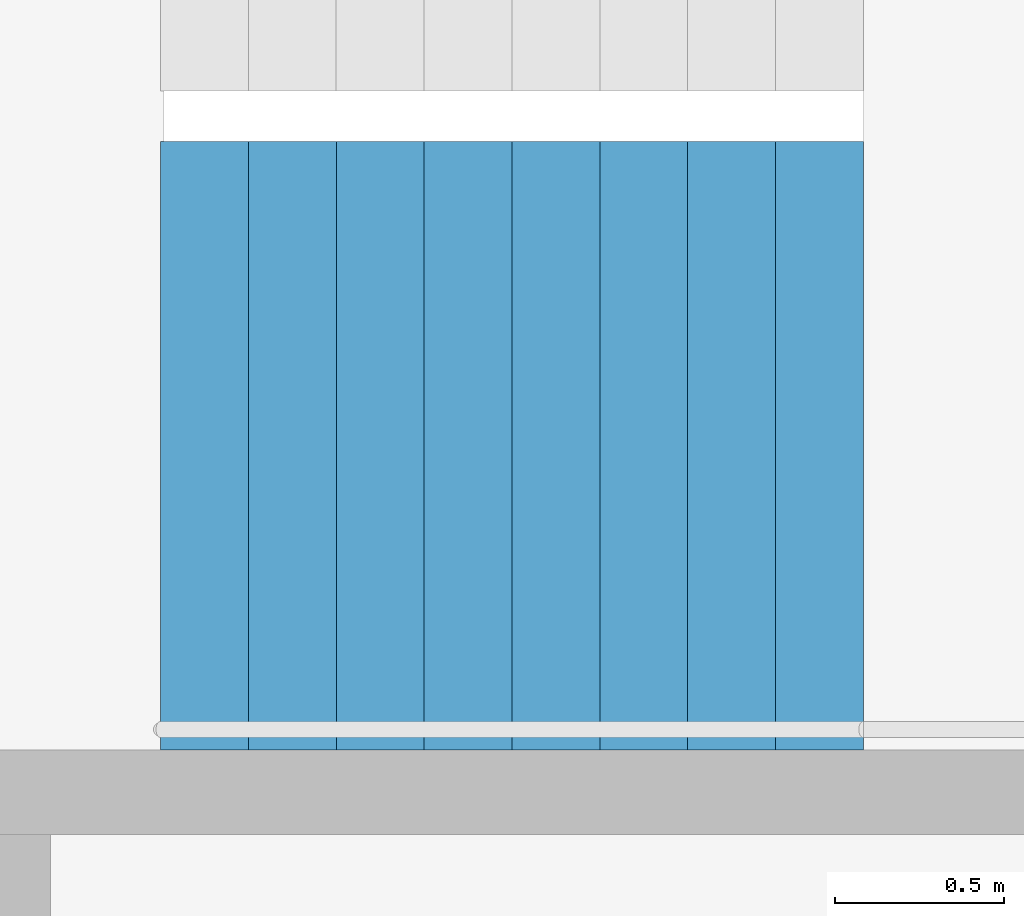
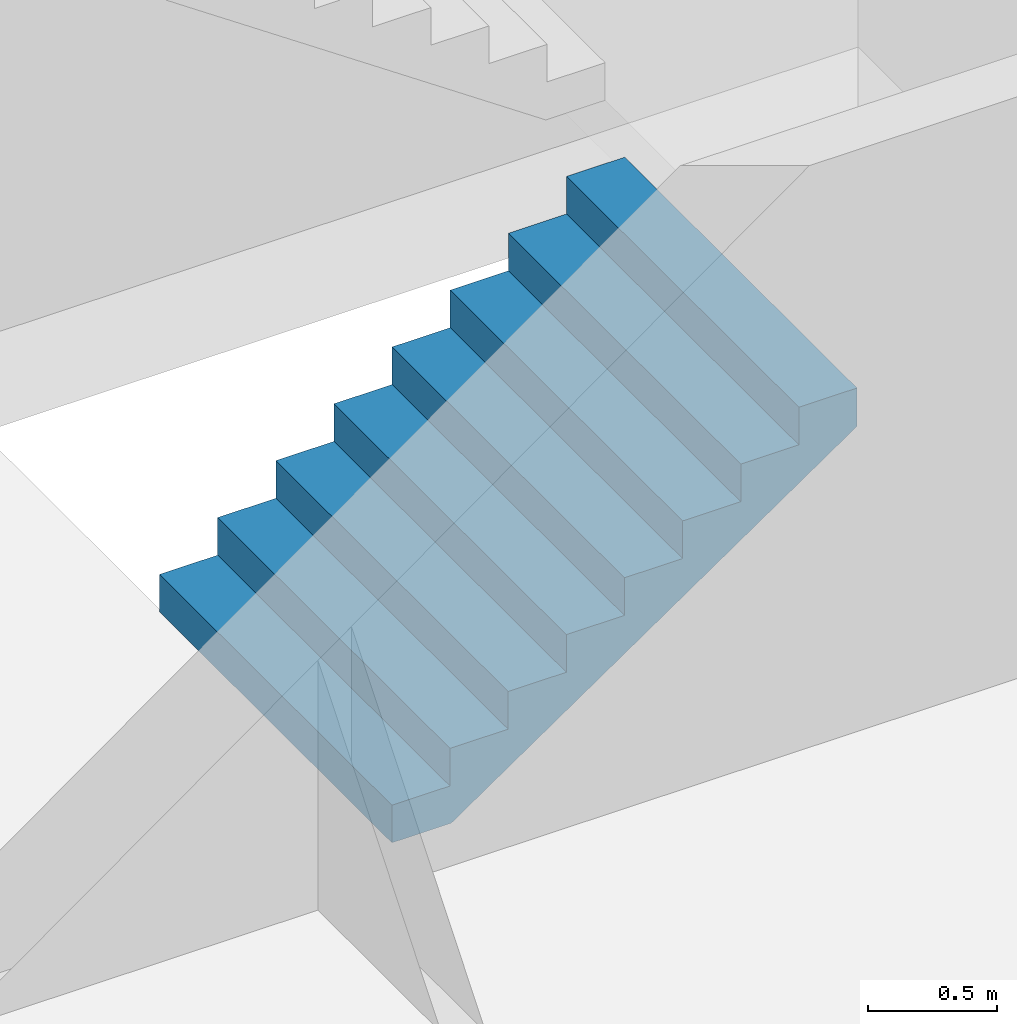
# One storey, part 21 of 27: 1 stair flight, 1 element without a shape of its own.
"""IFC4 building model written with IfcOpenShell, lengths in metres."""

from ifc_helpers import new_model, si_unit, direction, frame, origin, place, context, subcontext, project, spatial, triangles, material, type_object, element, aggregate, save


model = new_model("IFC4")

# Units and contexts
model_context = context("Model", 3, precision=1e-05, world=origin(), true_north=direction((0.0, 1.0)))
body_context = subcontext(model_context, "Body", "Model", "MODEL_VIEW")
ifc_project = project(units=[si_unit("LENGTHUNIT", "METRE"), si_unit("AREAUNIT", "SQUARE_METRE"), si_unit("VOLUMEUNIT", "CUBIC_METRE"), si_unit("PLANEANGLEUNIT", "RADIAN"), si_unit("MASSUNIT", "GRAM", prefix="KILO")], contexts=[model_context])

# Site, building, storey
site_placement = place(None, origin())
site = spatial("IfcSite", under=ifc_project, at=site_placement, CompositionType="ELEMENT")
building_placement = place(site_placement, origin())
building = spatial("IfcBuilding", under=site, at=building_placement, Name="Hakoniwa Tower and Hamabe Station Hall", CompositionType="ELEMENT")
storey_placement = place(building_placement, frame((0.0, 0.0, 248.60009765625)))
storey = spatial("IfcBuildingStorey", under=building, at=storey_placement, Name="L70", CompositionType="ELEMENT", Elevation=248.60009765625)

# Stair, stair flight
ifc_material_1 = material(Name="Concrete C40", Category="concrete")
stair_type = type_object("IfcStairType", Name="ESCAPE STAIR 1800", PredefinedType="HALF_TURN_STAIR", material=ifc_material_1)
stair_placement = place(storey_placement, origin())
stair = element("IfcStair", 1, at=stair_placement, inside=storey, type_object=stair_type, Name="Escape stair ST-1 L70", PredefinedType="HALF_TURN_STAIR")
ifc_material_2 = material(Name="Concrete C40", Category="concrete")
stair_flight_type = type_object("IfcStairFlightType", Name="STAIR FLIGHT 1800", PredefinedType="STRAIGHT", material=ifc_material_2)
stair_flight_placement = place(storey_placement, frame((-24.39990234375, 4.64990234375, 0.0), z_axis=(0.0, 0.0, 1.0), x_axis=(1.0, 0.0, 0.0)))
stair_flight = element("IfcStairFlight", 2, at=stair_flight_placement, type_object=stair_flight_type, Name="ST-1 flight 1", NumberOfRisers=9, NumberOfTreads=8, PredefinedType="STRAIGHT", RiserHeight=0.177777778, TreadLength=0.26, context=body_context, shape_type="Tessellation", body=[
    triangles([(0.0, 0.89990234375, 0.0), (0.260009765625, 0.89990234375, 0.0), (0.265625, 0.89990234375, 0.0), (0.52001953125, 0.89990234375, 0.174072265625), (0.780029296875, 0.89990234375, 0.351806640625), (1.0400390625, 0.89990234375, 0.529541015625), (1.300048828125, 0.89990234375, 0.707275390625), (1.56005859375, 0.89990234375, 0.885009765625), (1.820068359375, 0.89990234375, 1.062744140625), (2.080078125, 0.89990234375, 1.24072265625), (2.080078125, 0.89990234375, 1.422119140625), (1.820068359375, 0.89990234375, 1.422119140625), (1.820068359375, 0.89990234375, 1.244384765625), (1.56005859375, 0.89990234375, 1.244384765625), (1.56005859375, 0.89990234375, 1.066650390625), (1.300048828125, 0.89990234375, 1.066650390625), (1.300048828125, 0.89990234375, 0.888916015625), (1.0400390625, 0.89990234375, 0.888916015625), (1.0400390625, 0.89990234375, 0.711181640625), (0.780029296875, 0.89990234375, 0.711181640625), (0.780029296875, 0.89990234375, 0.533447265625), (0.52001953125, 0.89990234375, 0.533447265625), (0.52001953125, 0.89990234375, 0.35546875), (0.265625, 0.89990234375, 0.35546875), (0.260009765625, 0.89990234375, 0.35546875), (0.260009765625, 0.89990234375, 0.177734375), (0.0, 0.89990234375, 0.177734375), (0.0, 0.06005859375, 0.0), (0.260009765625, 0.06005859375, 0.0), (0.265625, 0.06005859375, 0.0), (0.52001953125, 0.06005859375, 0.174072265625), (0.780029296875, 0.06005859375, 0.351806640625), (1.0400390625, 0.06005859375, 0.529541015625), (1.300048828125, 0.06005859375, 0.707275390625), (1.56005859375, 0.06005859375, 0.885009765625), (1.820068359375, 0.06005859375, 1.062744140625), (2.080078125, 0.06005859375, 1.24072265625), (2.080078125, 0.06005859375, 1.422119140625), (1.820068359375, 0.06005859375, 1.422119140625), (1.820068359375, 0.06005859375, 1.244384765625), (1.56005859375, 0.06005859375, 1.244384765625), (1.56005859375, 0.06005859375, 1.066650390625), (1.300048828125, 0.06005859375, 1.066650390625), (1.300048828125, 0.06005859375, 0.888916015625), (1.0400390625, 0.06005859375, 0.888916015625), (1.0400390625, 0.06005859375, 0.711181640625), (0.780029296875, 0.06005859375, 0.711181640625), (0.780029296875, 0.06005859375, 0.533447265625), (0.52001953125, 0.06005859375, 0.533447265625), (0.52001953125, 0.06005859375, 0.35546875), (0.265625, 0.06005859375, 0.35546875), (0.260009765625, 0.06005859375, 0.35546875), (0.260009765625, 0.06005859375, 0.177734375), (0.0, 0.06005859375, 0.177734375), (0.0, 0.04296875, 0.0), (0.260009765625, 0.04296875, 0.0), (0.265625, 0.04296875, 0.0), (0.52001953125, 0.04296875, 0.174072265625), (0.780029296875, 0.04296875, 0.351806640625), (1.0400390625, 0.04296875, 0.529541015625), (1.300048828125, 0.04296875, 0.707275390625), (1.56005859375, 0.04296875, 0.885009765625), (1.820068359375, 0.04296875, 1.062744140625), (2.080078125, 0.04296875, 1.24072265625), (2.080078125, 0.04296875, 1.422119140625), (1.820068359375, 0.04296875, 1.422119140625), (1.820068359375, 0.04296875, 1.244384765625), (1.56005859375, 0.04296875, 1.244384765625), (1.56005859375, 0.04296875, 1.066650390625), (1.300048828125, 0.04296875, 1.066650390625), (1.300048828125, 0.04296875, 0.888916015625), (1.0400390625, 0.04296875, 0.888916015625), (1.0400390625, 0.04296875, 0.711181640625), (0.780029296875, 0.04296875, 0.711181640625), (0.780029296875, 0.04296875, 0.533447265625), (0.52001953125, 0.04296875, 0.533447265625), (0.52001953125, 0.04296875, 0.35546875), (0.265625, 0.04296875, 0.35546875), (0.260009765625, 0.04296875, 0.35546875), (0.260009765625, 0.04296875, 0.177734375), (0.0, 0.04296875, 0.177734375), (0.0, 0.025634765625, 0.0), (0.260009765625, 0.025634765625, 0.0), (0.265625, 0.025634765625, 0.0), (0.52001953125, 0.025634765625, 0.174072265625), (0.780029296875, 0.025634765625, 0.351806640625), (1.0400390625, 0.025634765625, 0.529541015625), (1.300048828125, 0.025634765625, 0.707275390625), (1.56005859375, 0.025634765625, 0.885009765625), (1.820068359375, 0.025634765625, 1.062744140625), (2.080078125, 0.025634765625, 1.24072265625), (2.080078125, 0.025634765625, 1.422119140625), (1.820068359375, 0.025634765625, 1.422119140625), (1.820068359375, 0.025634765625, 1.244384765625), (1.56005859375, 0.025634765625, 1.244384765625), (1.56005859375, 0.025634765625, 1.066650390625), (1.300048828125, 0.025634765625, 1.066650390625), (1.300048828125, 0.025634765625, 0.888916015625), (1.0400390625, 0.025634765625, 0.888916015625), (1.0400390625, 0.025634765625, 0.711181640625), (0.780029296875, 0.025634765625, 0.711181640625), (0.780029296875, 0.025634765625, 0.533447265625), (0.52001953125, 0.025634765625, 0.533447265625), (0.52001953125, 0.025634765625, 0.35546875), (0.265625, 0.025634765625, 0.35546875), (0.260009765625, 0.025634765625, 0.35546875), (0.260009765625, 0.025634765625, 0.177734375), (0.0, 0.025634765625, 0.177734375), (0.0, 0.008544921875, 0.0), (0.260009765625, 0.008544921875, 0.0), (0.265625, 0.008544921875, 0.0), (0.52001953125, 0.008544921875, 0.174072265625), (0.780029296875, 0.008544921875, 0.351806640625), (1.0400390625, 0.008544921875, 0.529541015625), (1.300048828125, 0.008544921875, 0.707275390625), (1.56005859375, 0.008544921875, 0.885009765625), (1.820068359375, 0.008544921875, 1.062744140625), (2.080078125, 0.008544921875, 1.24072265625), (2.080078125, 0.008544921875, 1.422119140625), (1.820068359375, 0.008544921875, 1.422119140625), (1.820068359375, 0.008544921875, 1.244384765625), (1.56005859375, 0.008544921875, 1.244384765625), (1.56005859375, 0.008544921875, 1.066650390625), (1.300048828125, 0.008544921875, 1.066650390625), (1.300048828125, 0.008544921875, 0.888916015625), (1.0400390625, 0.008544921875, 0.888916015625), (1.0400390625, 0.008544921875, 0.711181640625), (0.780029296875, 0.008544921875, 0.711181640625), (0.780029296875, 0.008544921875, 0.533447265625), (0.52001953125, 0.008544921875, 0.533447265625), (0.52001953125, 0.008544921875, 0.35546875), (0.265625, 0.008544921875, 0.35546875), (0.260009765625, 0.008544921875, 0.35546875), (0.260009765625, 0.008544921875, 0.177734375), (0.0, 0.008544921875, 0.177734375), (0.0, -0.008544921875, 0.0), (0.260009765625, -0.008544921875, 0.0), (0.265625, -0.008544921875, 0.0), (0.52001953125, -0.008544921875, 0.174072265625), (0.780029296875, -0.008544921875, 0.351806640625), (1.0400390625, -0.008544921875, 0.529541015625), (1.300048828125, -0.008544921875, 0.707275390625), (1.56005859375, -0.008544921875, 0.885009765625), (1.820068359375, -0.008544921875, 1.062744140625), (2.080078125, -0.008544921875, 1.24072265625), (2.080078125, -0.008544921875, 1.422119140625), (1.820068359375, -0.008544921875, 1.422119140625), (1.820068359375, -0.008544921875, 1.244384765625), (1.56005859375, -0.008544921875, 1.244384765625), (1.56005859375, -0.008544921875, 1.066650390625), (1.300048828125, -0.008544921875, 1.066650390625), (1.300048828125, -0.008544921875, 0.888916015625), (1.0400390625, -0.008544921875, 0.888916015625), (1.0400390625, -0.008544921875, 0.711181640625), (0.780029296875, -0.008544921875, 0.711181640625), (0.780029296875, -0.008544921875, 0.533447265625), (0.52001953125, -0.008544921875, 0.533447265625), (0.52001953125, -0.008544921875, 0.35546875), (0.265625, -0.008544921875, 0.35546875), (0.260009765625, -0.008544921875, 0.35546875), (0.260009765625, -0.008544921875, 0.177734375), (0.0, -0.008544921875, 0.177734375), (0.0, -0.025634765625, 0.0), (0.260009765625, -0.025634765625, 0.0), (0.265625, -0.025634765625, 0.0), (0.52001953125, -0.025634765625, 0.174072265625), (0.780029296875, -0.025634765625, 0.351806640625), (1.0400390625, -0.025634765625, 0.529541015625), (1.300048828125, -0.025634765625, 0.707275390625), (1.56005859375, -0.025634765625, 0.885009765625), (1.820068359375, -0.025634765625, 1.062744140625), (2.080078125, -0.025634765625, 1.24072265625), (2.080078125, -0.025634765625, 1.422119140625), (1.820068359375, -0.025634765625, 1.422119140625), (1.820068359375, -0.025634765625, 1.244384765625), (1.56005859375, -0.025634765625, 1.244384765625), (1.56005859375, -0.025634765625, 1.066650390625), (1.300048828125, -0.025634765625, 1.066650390625), (1.300048828125, -0.025634765625, 0.888916015625), (1.0400390625, -0.025634765625, 0.888916015625), (1.0400390625, -0.025634765625, 0.711181640625), (0.780029296875, -0.025634765625, 0.711181640625), (0.780029296875, -0.025634765625, 0.533447265625), (0.52001953125, -0.025634765625, 0.533447265625), (0.52001953125, -0.025634765625, 0.35546875), (0.265625, -0.025634765625, 0.35546875), (0.260009765625, -0.025634765625, 0.35546875), (0.260009765625, -0.025634765625, 0.177734375), (0.0, -0.025634765625, 0.177734375), (0.0, -0.04296875, 0.0), (0.260009765625, -0.04296875, 0.0), (0.265625, -0.04296875, 0.0), (0.52001953125, -0.04296875, 0.174072265625), (0.780029296875, -0.04296875, 0.351806640625), (1.0400390625, -0.04296875, 0.529541015625), (1.300048828125, -0.04296875, 0.707275390625), (1.56005859375, -0.04296875, 0.885009765625), (1.820068359375, -0.04296875, 1.062744140625), (2.080078125, -0.04296875, 1.24072265625), (2.080078125, -0.04296875, 1.422119140625), (1.820068359375, -0.04296875, 1.422119140625), (1.820068359375, -0.04296875, 1.244384765625), (1.56005859375, -0.04296875, 1.244384765625), (1.56005859375, -0.04296875, 1.066650390625), (1.300048828125, -0.04296875, 1.066650390625), (1.300048828125, -0.04296875, 0.888916015625), (1.0400390625, -0.04296875, 0.888916015625), (1.0400390625, -0.04296875, 0.711181640625), (0.780029296875, -0.04296875, 0.711181640625), (0.780029296875, -0.04296875, 0.533447265625), (0.52001953125, -0.04296875, 0.533447265625), (0.52001953125, -0.04296875, 0.35546875), (0.265625, -0.04296875, 0.35546875), (0.260009765625, -0.04296875, 0.35546875), (0.260009765625, -0.04296875, 0.177734375), (0.0, -0.04296875, 0.177734375), (0.0, -0.06005859375, 0.0), (0.260009765625, -0.06005859375, 0.0), (0.265625, -0.06005859375, 0.0), (0.52001953125, -0.06005859375, 0.174072265625), (0.780029296875, -0.06005859375, 0.351806640625), (1.0400390625, -0.06005859375, 0.529541015625), (1.300048828125, -0.06005859375, 0.707275390625), (1.56005859375, -0.06005859375, 0.885009765625), (1.820068359375, -0.06005859375, 1.062744140625), (2.080078125, -0.06005859375, 1.24072265625), (2.080078125, -0.06005859375, 1.422119140625), (1.820068359375, -0.06005859375, 1.422119140625), (1.820068359375, -0.06005859375, 1.244384765625), (1.56005859375, -0.06005859375, 1.244384765625), (1.56005859375, -0.06005859375, 1.066650390625), (1.300048828125, -0.06005859375, 1.066650390625), (1.300048828125, -0.06005859375, 0.888916015625), (1.0400390625, -0.06005859375, 0.888916015625), (1.0400390625, -0.06005859375, 0.711181640625), (0.780029296875, -0.06005859375, 0.711181640625), (0.780029296875, -0.06005859375, 0.533447265625), (0.52001953125, -0.06005859375, 0.533447265625), (0.52001953125, -0.06005859375, 0.35546875), (0.265625, -0.06005859375, 0.35546875), (0.260009765625, -0.06005859375, 0.35546875), (0.260009765625, -0.06005859375, 0.177734375), (0.0, -0.06005859375, 0.177734375), (0.0, -0.89990234375, 0.0), (0.260009765625, -0.89990234375, 0.0), (0.265625, -0.89990234375, 0.0), (0.52001953125, -0.89990234375, 0.174072265625), (0.780029296875, -0.89990234375, 0.351806640625), (1.0400390625, -0.89990234375, 0.529541015625), (1.300048828125, -0.89990234375, 0.707275390625), (1.56005859375, -0.89990234375, 0.885009765625), (1.820068359375, -0.89990234375, 1.062744140625), (2.080078125, -0.89990234375, 1.24072265625), (2.080078125, -0.89990234375, 1.422119140625), (1.820068359375, -0.89990234375, 1.422119140625), (1.820068359375, -0.89990234375, 1.244384765625), (1.56005859375, -0.89990234375, 1.244384765625), (1.56005859375, -0.89990234375, 1.066650390625), (1.300048828125, -0.89990234375, 1.066650390625), (1.300048828125, -0.89990234375, 0.888916015625), (1.0400390625, -0.89990234375, 0.888916015625), (1.0400390625, -0.89990234375, 0.711181640625), (0.780029296875, -0.89990234375, 0.711181640625), (0.780029296875, -0.89990234375, 0.533447265625), (0.52001953125, -0.89990234375, 0.533447265625), (0.52001953125, -0.89990234375, 0.35546875), (0.265625, -0.89990234375, 0.35546875), (0.260009765625, -0.89990234375, 0.35546875), (0.260009765625, -0.89990234375, 0.177734375), (0.0, -0.89990234375, 0.177734375)], [[2, 27, 26], [245, 269, 270], [2, 1, 27], [245, 270, 244], [3, 25, 24], [246, 267, 268], [3, 26, 25], [246, 268, 269], [3, 2, 26], [246, 269, 245], [4, 24, 23], [247, 266, 267], [4, 3, 24], [247, 267, 246], [5, 22, 21], [248, 264, 265], [5, 23, 22], [248, 265, 266], [5, 4, 23], [248, 266, 247], [6, 20, 19], [249, 262, 263], [6, 21, 20], [249, 263, 264], [6, 5, 21], [249, 264, 248], [7, 18, 17], [250, 260, 261], [7, 19, 18], [250, 261, 262], [7, 6, 19], [250, 262, 249], [8, 16, 15], [251, 258, 259], [8, 17, 16], [251, 259, 260], [8, 7, 17], [251, 260, 250], [9, 14, 13], [252, 256, 257], [9, 15, 14], [252, 257, 258], [9, 8, 15], [252, 258, 251], [10, 12, 11], [253, 254, 255], [10, 13, 12], [253, 255, 256], [10, 9, 13], [253, 256, 252], [1, 2, 29], [1, 29, 28], [28, 29, 56], [28, 56, 55], [55, 56, 83], [55, 83, 82], [82, 83, 110], [82, 110, 109], [109, 110, 137], [109, 137, 136], [136, 137, 164], [136, 164, 163], [163, 164, 191], [163, 191, 190], [190, 191, 218], [190, 218, 217], [217, 218, 245], [217, 245, 244], [2, 3, 30], [2, 30, 29], [29, 30, 57], [29, 57, 56], [56, 57, 84], [56, 84, 83], [83, 84, 111], [83, 111, 110], [110, 111, 138], [110, 138, 137], [137, 138, 165], [137, 165, 164], [164, 165, 192], [164, 192, 191], [191, 192, 219], [191, 219, 218], [218, 219, 246], [218, 246, 245], [3, 4, 31], [3, 31, 30], [30, 31, 58], [30, 58, 57], [57, 58, 85], [57, 85, 84], [84, 85, 112], [84, 112, 111], [111, 112, 139], [111, 139, 138], [138, 139, 166], [138, 166, 165], [165, 166, 193], [165, 193, 192], [192, 193, 220], [192, 220, 219], [219, 220, 247], [219, 247, 246], [4, 5, 32], [4, 32, 31], [31, 32, 59], [31, 59, 58], [58, 59, 86], [58, 86, 85], [85, 86, 113], [85, 113, 112], [112, 113, 140], [112, 140, 139], [139, 140, 167], [139, 167, 166], [166, 167, 194], [166, 194, 193], [193, 194, 221], [193, 221, 220], [220, 221, 248], [220, 248, 247], [5, 6, 33], [5, 33, 32], [32, 33, 60], [32, 60, 59], [59, 60, 87], [59, 87, 86], [86, 87, 114], [86, 114, 113], [113, 114, 141], [113, 141, 140], [140, 141, 168], [140, 168, 167], [167, 168, 195], [167, 195, 194], [194, 195, 222], [194, 222, 221], [221, 222, 249], [221, 249, 248], [6, 7, 34], [6, 34, 33], [33, 34, 61], [33, 61, 60], [60, 61, 88], [60, 88, 87], [87, 88, 115], [87, 115, 114], [114, 115, 142], [114, 142, 141], [141, 142, 169], [141, 169, 168], [168, 169, 196], [168, 196, 195], [195, 196, 223], [195, 223, 222], [222, 223, 250], [222, 250, 249], [7, 8, 35], [7, 35, 34], [34, 35, 62], [34, 62, 61], [61, 62, 89], [61, 89, 88], [88, 89, 116], [88, 116, 115], [115, 116, 143], [115, 143, 142], [142, 143, 170], [142, 170, 169], [169, 170, 197], [169, 197, 196], [196, 197, 224], [196, 224, 223], [223, 224, 251], [223, 251, 250], [8, 9, 36], [8, 36, 35], [35, 36, 63], [35, 63, 62], [62, 63, 90], [62, 90, 89], [89, 90, 117], [89, 117, 116], [116, 117, 144], [116, 144, 143], [143, 144, 171], [143, 171, 170], [170, 171, 198], [170, 198, 197], [197, 198, 225], [197, 225, 224], [224, 225, 252], [224, 252, 251], [9, 10, 37], [9, 37, 36], [36, 37, 64], [36, 64, 63], [63, 64, 91], [63, 91, 90], [90, 91, 118], [90, 118, 117], [117, 118, 145], [117, 145, 144], [144, 145, 172], [144, 172, 171], [171, 172, 199], [171, 199, 198], [198, 199, 226], [198, 226, 225], [225, 226, 253], [225, 253, 252], [10, 11, 38], [10, 38, 37], [37, 38, 65], [37, 65, 64], [64, 65, 92], [64, 92, 91], [91, 92, 119], [91, 119, 118], [118, 119, 146], [118, 146, 145], [145, 146, 173], [145, 173, 172], [172, 173, 200], [172, 200, 199], [199, 200, 227], [199, 227, 226], [226, 227, 254], [226, 254, 253], [11, 12, 39], [11, 39, 38], [38, 39, 66], [38, 66, 65], [65, 66, 93], [65, 93, 92], [92, 93, 120], [92, 120, 119], [119, 120, 147], [119, 147, 146], [146, 147, 174], [146, 174, 173], [173, 174, 201], [173, 201, 200], [200, 201, 228], [200, 228, 227], [227, 228, 255], [227, 255, 254], [12, 13, 40], [12, 40, 39], [39, 40, 67], [39, 67, 66], [66, 67, 94], [66, 94, 93], [93, 94, 121], [93, 121, 120], [120, 121, 148], [120, 148, 147], [147, 148, 175], [147, 175, 174], [174, 175, 202], [174, 202, 201], [201, 202, 229], [201, 229, 228], [228, 229, 256], [228, 256, 255], [13, 14, 41], [13, 41, 40], [40, 41, 68], [40, 68, 67], [67, 68, 95], [67, 95, 94], [94, 95, 122], [94, 122, 121], [121, 122, 149], [121, 149, 148], [148, 149, 176], [148, 176, 175], [175, 176, 203], [175, 203, 202], [202, 203, 230], [202, 230, 229], [229, 230, 257], [229, 257, 256], [14, 15, 42], [14, 42, 41], [41, 42, 69], [41, 69, 68], [68, 69, 96], [68, 96, 95], [95, 96, 123], [95, 123, 122], [122, 123, 150], [122, 150, 149], [149, 150, 177], [149, 177, 176], [176, 177, 204], [176, 204, 203], [203, 204, 231], [203, 231, 230], [230, 231, 258], [230, 258, 257], [15, 16, 43], [15, 43, 42], [42, 43, 70], [42, 70, 69], [69, 70, 97], [69, 97, 96], [96, 97, 124], [96, 124, 123], [123, 124, 151], [123, 151, 150], [150, 151, 178], [150, 178, 177], [177, 178, 205], [177, 205, 204], [204, 205, 232], [204, 232, 231], [231, 232, 259], [231, 259, 258], [16, 17, 44], [16, 44, 43], [43, 44, 71], [43, 71, 70], [70, 71, 98], [70, 98, 97], [97, 98, 125], [97, 125, 124], [124, 125, 152], [124, 152, 151], [151, 152, 179], [151, 179, 178], [178, 179, 206], [178, 206, 205], [205, 206, 233], [205, 233, 232], [232, 233, 260], [232, 260, 259], [17, 18, 45], [17, 45, 44], [44, 45, 72], [44, 72, 71], [71, 72, 99], [71, 99, 98], [98, 99, 126], [98, 126, 125], [125, 126, 153], [125, 153, 152], [152, 153, 180], [152, 180, 179], [179, 180, 207], [179, 207, 206], [206, 207, 234], [206, 234, 233], [233, 234, 261], [233, 261, 260], [18, 19, 46], [18, 46, 45], [45, 46, 73], [45, 73, 72], [72, 73, 100], [72, 100, 99], [99, 100, 127], [99, 127, 126], [126, 127, 154], [126, 154, 153], [153, 154, 181], [153, 181, 180], [180, 181, 208], [180, 208, 207], [207, 208, 235], [207, 235, 234], [234, 235, 262], [234, 262, 261], [19, 20, 47], [19, 47, 46], [46, 47, 74], [46, 74, 73], [73, 74, 101], [73, 101, 100], [100, 101, 128], [100, 128, 127], [127, 128, 155], [127, 155, 154], [154, 155, 182], [154, 182, 181], [181, 182, 209], [181, 209, 208], [208, 209, 236], [208, 236, 235], [235, 236, 263], [235, 263, 262], [20, 21, 48], [20, 48, 47], [47, 48, 75], [47, 75, 74], [74, 75, 102], [74, 102, 101], [101, 102, 129], [101, 129, 128], [128, 129, 156], [128, 156, 155], [155, 156, 183], [155, 183, 182], [182, 183, 210], [182, 210, 209], [209, 210, 237], [209, 237, 236], [236, 237, 264], [236, 264, 263], [21, 22, 49], [21, 49, 48], [48, 49, 76], [48, 76, 75], [75, 76, 103], [75, 103, 102], [102, 103, 130], [102, 130, 129], [129, 130, 157], [129, 157, 156], [156, 157, 184], [156, 184, 183], [183, 184, 211], [183, 211, 210], [210, 211, 238], [210, 238, 237], [237, 238, 265], [237, 265, 264], [22, 23, 50], [22, 50, 49], [49, 50, 77], [49, 77, 76], [76, 77, 104], [76, 104, 103], [103, 104, 131], [103, 131, 130], [130, 131, 158], [130, 158, 157], [157, 158, 185], [157, 185, 184], [184, 185, 212], [184, 212, 211], [211, 212, 239], [211, 239, 238], [238, 239, 266], [238, 266, 265], [23, 24, 51], [23, 51, 50], [50, 51, 78], [50, 78, 77], [77, 78, 105], [77, 105, 104], [104, 105, 132], [104, 132, 131], [131, 132, 159], [131, 159, 158], [158, 159, 186], [158, 186, 185], [185, 186, 213], [185, 213, 212], [212, 213, 240], [212, 240, 239], [239, 240, 267], [239, 267, 266], [24, 25, 52], [24, 52, 51], [51, 52, 79], [51, 79, 78], [78, 79, 106], [78, 106, 105], [105, 106, 133], [105, 133, 132], [132, 133, 160], [132, 160, 159], [159, 160, 187], [159, 187, 186], [186, 187, 214], [186, 214, 213], [213, 214, 241], [213, 241, 240], [240, 241, 268], [240, 268, 267], [25, 26, 53], [25, 53, 52], [52, 53, 80], [52, 80, 79], [79, 80, 107], [79, 107, 106], [106, 107, 134], [106, 134, 133], [133, 134, 161], [133, 161, 160], [160, 161, 188], [160, 188, 187], [187, 188, 215], [187, 215, 214], [214, 215, 242], [214, 242, 241], [241, 242, 269], [241, 269, 268], [26, 27, 54], [26, 54, 53], [53, 54, 81], [53, 81, 80], [80, 81, 108], [80, 108, 107], [107, 108, 135], [107, 135, 134], [134, 135, 162], [134, 162, 161], [161, 162, 189], [161, 189, 188], [188, 189, 216], [188, 216, 215], [215, 216, 243], [215, 243, 242], [242, 243, 270], [242, 270, 269], [27, 1, 28], [27, 28, 54], [54, 28, 55], [54, 55, 81], [81, 55, 82], [81, 82, 108], [108, 82, 109], [108, 109, 135], [135, 109, 136], [135, 136, 162], [162, 136, 163], [162, 163, 189], [189, 163, 190], [189, 190, 216], [216, 190, 217], [216, 217, 243], [243, 217, 244], [243, 244, 270]], closed=True),
])
aggregate(stair, [stair_flight])

save(model, "model.ifc")
